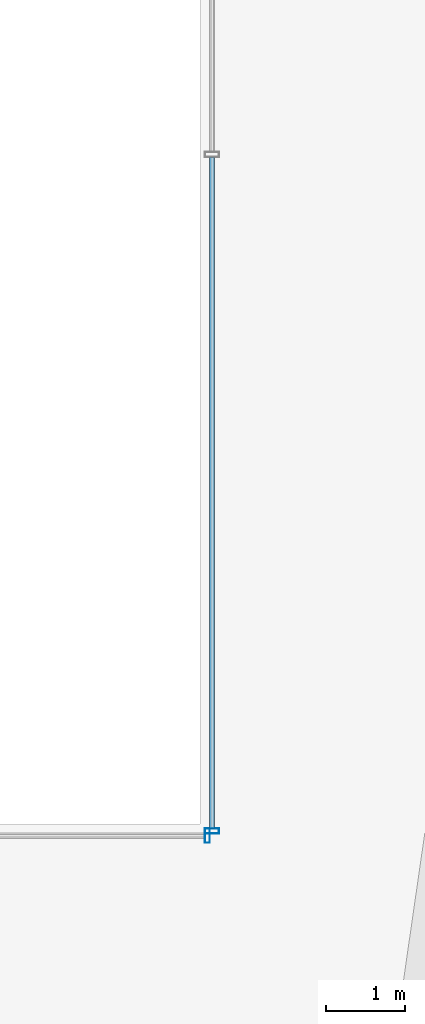
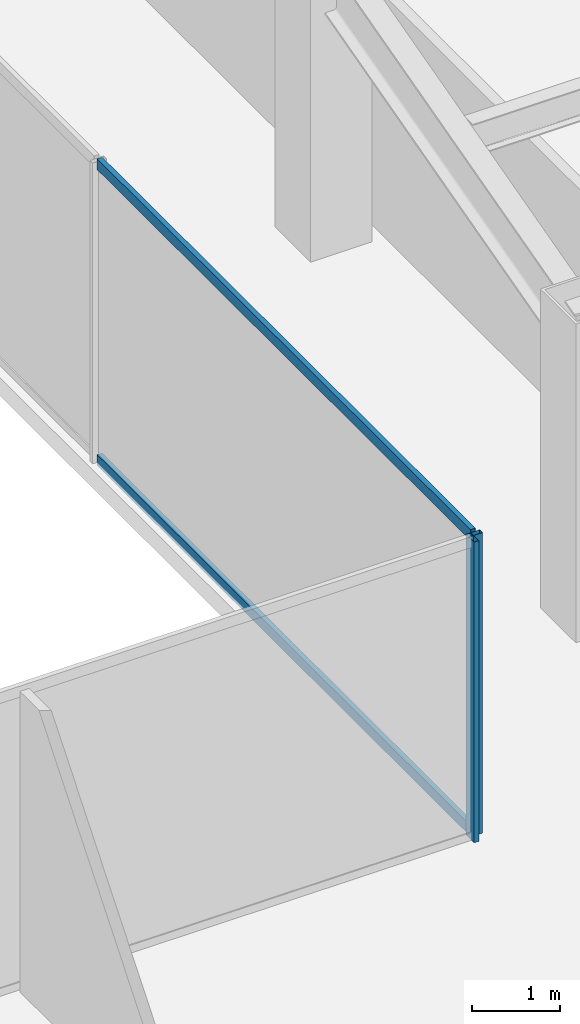
# One storey, part 18 of 47: 4 members, 2 elements without a shape of their own.
"""IFC4 building model written with IfcOpenShell, lengths in metres."""

from ifc_helpers import new_model, si_unit, direction, frame, origin, origin_2d, place, context, subcontext, project, spatial, hollow_rectangle, extrude, material, material_profile, profile_set, type_object, element, aggregate, save


model = new_model("IFC4")

# Units and contexts
model_context = context("Model", 3, precision=1e-05, world=origin(), true_north=direction((0.0, 1.0)))
body_context = subcontext(model_context, "Body", "Model", "MODEL_VIEW")
ifc_project = project(units=[si_unit("LENGTHUNIT", "METRE"), si_unit("AREAUNIT", "SQUARE_METRE"), si_unit("VOLUMEUNIT", "CUBIC_METRE"), si_unit("PLANEANGLEUNIT", "RADIAN"), si_unit("MASSUNIT", "GRAM", prefix="KILO")], contexts=[model_context])

# Site, building, storey
site_placement = place(None, origin())
site = spatial("IfcSite", under=ifc_project, at=site_placement, CompositionType="ELEMENT")
building_placement = place(site_placement, origin())
building = spatial("IfcBuilding", under=site, at=building_placement, Name="Saevonmaru Cultural Tower", CompositionType="ELEMENT")
storey_placement = place(building_placement, frame((0.0, 0.0, 69.199951171875)))
storey = spatial("IfcBuildingStorey", under=building, at=storey_placement, Name="L14", CompositionType="ELEMENT", Elevation=69.199951171875)

# Curtain wall, member
ifc_material = material(Name="Satin Bronze Anodised Aluminium", Category="aluminium")
curtain_wall_type = type_object("IfcCurtainWallType", Name="CW-ATR-GLZ", PredefinedType="NOTDEFINED", material=ifc_material)
curtain_wall_1_placement = place(storey_placement, origin())
curtain_wall_1 = element("IfcCurtainWall", 1, at=curtain_wall_1_placement, inside=storey, type_object=curtain_wall_type, Name="L14 Vertical Atrium Glazed Smoke Screen 1", PredefinedType="NOTDEFINED")
ifc_material_profile_1 = material_profile(ifc_material, hollow_rectangle(XDim=0.06494140625, YDim=0.179931640625, WallThickness=0.00390625, at=origin_2d()), Name="ALU-MULL-180x65x4")
ifc_profile_set_1 = profile_set([ifc_material_profile_1], Name="Satin Bronze Anodised Aluminium")
member_type_1 = type_object("IfcMemberType", Name="ML-CW-INT-180x65", PredefinedType="MULLION", material=ifc_profile_set_1)
member_1_placement = place(storey_placement, frame((35.889892578125, 20.85009765625, 0.0), z_axis=(0.0, 0.0, 1.0), x_axis=(1.0, 0.0, 0.0)))
member_1 = element("IfcMember", 2, at=member_1_placement, type_object=member_type_1, Name="CW-ATR-L14-1 mullion 2", PredefinedType="MULLION", context=body_context, shape_type="SweptSolid", body=[
    extrude(hollow_rectangle(XDim=0.06494140625, YDim=0.179931640625, WallThickness=0.00390625, at=origin_2d()), origin(), (0.0, 0.0, 1.0), 4.150146484375),
])
aggregate(curtain_wall_1, [member_1])

# Curtain wall, members
curtain_wall_2_placement = place(storey_placement, origin())
curtain_wall_2 = element("IfcCurtainWall", 3, at=curtain_wall_2_placement, inside=storey, type_object=curtain_wall_type, Name="L14 Vertical Atrium Glazed Smoke Screen 2", PredefinedType="NOTDEFINED")
member_2_placement = place(storey_placement, frame((35.949951171875, 20.909912109375, 0.0), z_axis=(0.0, 0.0, 1.0), x_axis=(0.0, 1.0, 0.0)))
member_2 = element("IfcMember", 4, at=member_2_placement, type_object=member_type_1, Name="CW-ATR-L14-2 mullion 1", PredefinedType="MULLION", context=body_context, shape_type="SweptSolid", body=[
    extrude(hollow_rectangle(XDim=0.06494140625, YDim=0.179931640625, WallThickness=0.00390625, at=origin_2d()), origin(), (0.0, 0.0, 1.0), 4.150146484375),
])
ifc_material_profile_2 = material_profile(ifc_material, hollow_rectangle(XDim=0.06494140625, YDim=0.14990234375, WallThickness=0.00390625, at=origin_2d()), Name="ALU-TRAN-150x65x4")
ifc_profile_set_2 = profile_set([ifc_material_profile_2], Name="Satin Bronze Anodised Aluminium")
member_type_2 = type_object("IfcMemberType", Name="TR-CW-INT-150x65", PredefinedType="USERDEFINED", material=ifc_profile_set_2)
member_3_placement = place(storey_placement, frame((35.949951171875, 20.9423828125, 0.032470703125), z_axis=(0.0, 1.0, 0.0), x_axis=(-1.0, 0.0, 0.0)))
member_3 = element("IfcMember", 5, at=member_3_placement, type_object=member_type_2, Name="CW-ATR-L14-2 transom 1.1", ObjectType="TRANSOM", PredefinedType="USERDEFINED", context=body_context, shape_type="SweptSolid", body=[
    extrude(hollow_rectangle(XDim=0.06494140625, YDim=0.14990234375, WallThickness=0.00390625, at=origin_2d()), origin(), (0.0, 0.0, 1.0), 8.445068359375),
])
member_4_placement = place(storey_placement, frame((35.949951171875, 20.9423828125, 4.117431640625), z_axis=(0.0, 1.0, 0.0), x_axis=(-1.0, 0.0, 0.0)))
member_4 = element("IfcMember", 6, at=member_4_placement, type_object=member_type_2, Name="CW-ATR-L14-2 transom 1.2", ObjectType="TRANSOM", PredefinedType="USERDEFINED", context=body_context, shape_type="SweptSolid", body=[
    extrude(hollow_rectangle(XDim=0.06494140625, YDim=0.14990234375, WallThickness=0.00390625, at=origin_2d()), origin(), (0.0, 0.0, 1.0), 8.445068359375),
])
aggregate(curtain_wall_2, [member_2, member_3, member_4])

save(model, "model.ifc")
